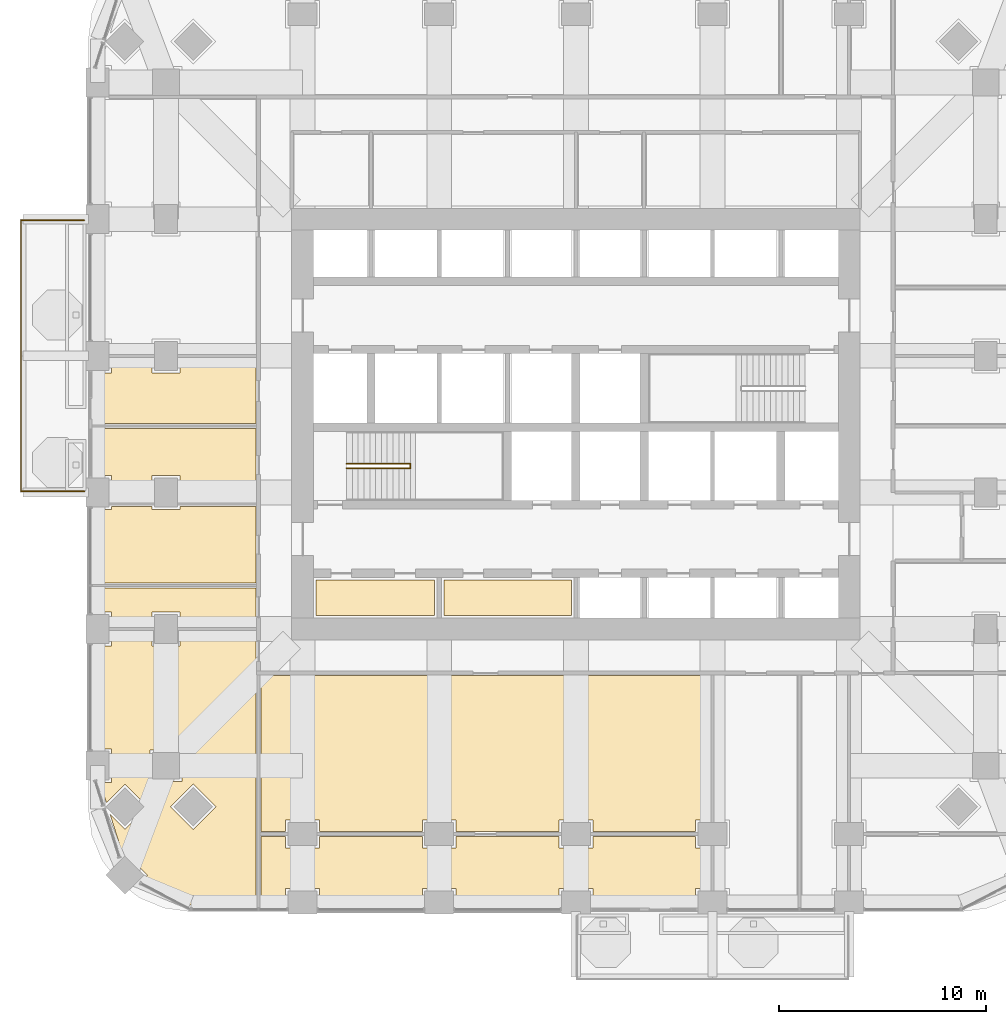
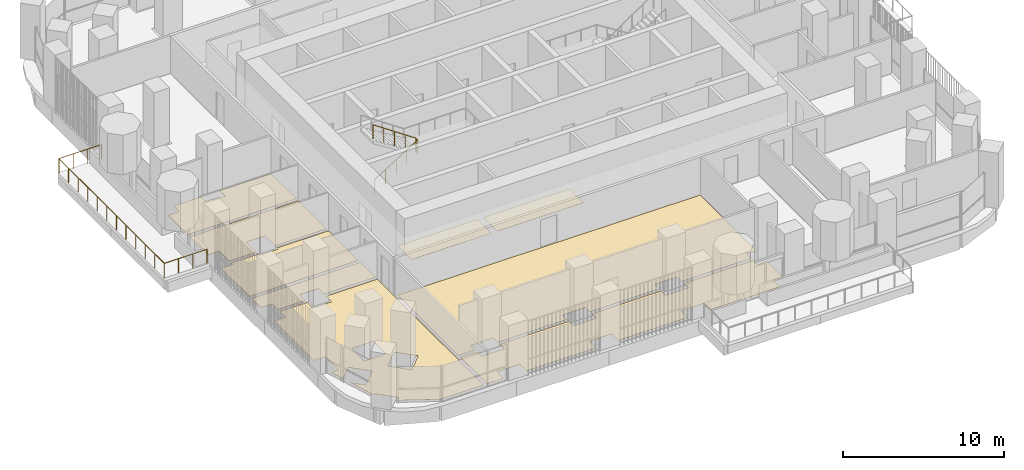
# One storey, part 18 of 22: 9 coverings, 2 railings.
"""IFC4 building model written with IfcOpenShell, lengths in metres."""

from ifc_helpers import new_model, si_unit, direction, frame, origin, place, context, subcontext, project, spatial, polyline, outline, extrude, material, layer, layer_set, type_object, element, save


model = new_model("IFC4")

# Units and contexts
model_context = context("Model", 3, precision=1e-05, world=origin(), true_north=direction((0.0, 1.0)))
body_context = subcontext(model_context, "Body", "Model", "MODEL_VIEW")
ifc_project = project(units=[si_unit("LENGTHUNIT", "METRE"), si_unit("AREAUNIT", "SQUARE_METRE"), si_unit("VOLUMEUNIT", "CUBIC_METRE"), si_unit("PLANEANGLEUNIT", "RADIAN"), si_unit("MASSUNIT", "GRAM", prefix="KILO")], contexts=[model_context])

# Site, building, storey
site_placement = place(None, origin())
site = spatial("IfcSite", under=ifc_project, at=site_placement, CompositionType="ELEMENT")
building_placement = place(site_placement, origin())
building = spatial("IfcBuilding", under=site, at=building_placement, Name="Cobogo Forest Laboratory Tower", CompositionType="ELEMENT")
storey_placement = place(building_placement, frame((0.0, 0.0, 120.0)))
storey = spatial("IfcBuildingStorey", under=building, at=storey_placement, Name="L27", CompositionType="ELEMENT", Elevation=120.0)

# Railing
ifc_material_1 = material(Name="Laminated glass balustrade", Category="glass")
railing_type_1 = type_object("IfcRailingType", Name="BG1 glass balustrade 1100", PredefinedType="GUARDRAIL", material=ifc_material_1)
railing_1_placement = place(storey_placement, frame((2.64990234375, 19.85009765625, 0.0)))
element("IfcRailing", 1, at=railing_1_placement, inside=storey, type_object=railing_type_1, Name="Balcony balustrade BAL-W1 L27", PredefinedType="GUARDRAIL", context=body_context, shape_type="SweptSolid", body=[
    extrude(outline(polyline([(0.022216796875, 0.00927734375), (0.00927734375, 0.022216796875), (-0.00927734375, 0.022216796875), (-0.022216796875, 0.00927734375), (-0.022216796875, -0.00927734375), (-0.00927734375, -0.022216796875), (0.00927734375, -0.022216796875), (0.022216796875, -0.00927734375), (0.022216796875, 0.00927734375)])), frame((0.0, 0.0, 1.077880859375), z_axis=(-1.0, 0.0, 0.0), x_axis=(0.0, -1.0, 0.0)), (0.0, 0.0, 1.0), 3.0498046875),
    extrude(outline(polyline([(0.022216796875, 0.00927734375), (0.00927734375, 0.022216796875), (-0.00927734375, 0.022216796875), (-0.022216796875, 0.00927734375), (-0.022216796875, -0.00927734375), (-0.00927734375, -0.022216796875), (0.00927734375, -0.022216796875), (0.022216796875, -0.00927734375), (0.022216796875, 0.00927734375)])), frame((-3.0498046875, 0.0, 1.077880859375), z_axis=(0.0, 1.0, 0.0), x_axis=(-1.0, 0.0, 0.0)), (0.0, 0.0, 1.0), 13.099853515625),
    extrude(outline(polyline([(0.022216796875, 0.00927734375), (0.00927734375, 0.022216796875), (-0.00927734375, 0.022216796875), (-0.022216796875, 0.00927734375), (-0.022216796875, -0.00927734375), (-0.00927734375, -0.022216796875), (0.00927734375, -0.022216796875), (0.022216796875, -0.00927734375), (0.022216796875, 0.00927734375)])), frame((-3.0498046875, 13.099853515625, 1.077880859375), z_axis=(1.0, 0.0, 0.0), x_axis=(0.0, 1.0, 0.0)), (0.0, 0.0, 1.0), 3.0498046875),
    extrude(outline(polyline([(0.019287109375, 0.008056640625), (0.008056640625, 0.019287109375), (-0.008056640625, 0.019287109375), (-0.019287109375, 0.008056640625), (-0.019287109375, -0.008056640625), (-0.008056640625, -0.019287109375), (0.008056640625, -0.019287109375), (0.019287109375, -0.008056640625), (0.019287109375, 0.008056640625)])), origin(), (0.0, 0.0, 1.0), 1.077880859375),
    extrude(outline(polyline([(0.019287109375, 0.008056640625), (0.008056640625, 0.019287109375), (-0.008056640625, 0.019287109375), (-0.019287109375, 0.008056640625), (-0.019287109375, -0.008056640625), (-0.008056640625, -0.019287109375), (0.008056640625, -0.019287109375), (0.019287109375, -0.008056640625), (0.019287109375, 0.008056640625)])), frame((-1.0166015625, 0.0, 0.0)), (0.0, 0.0, 1.0), 1.077880859375),
    extrude(outline(polyline([(0.019287109375, 0.008056640625), (0.008056640625, 0.019287109375), (-0.008056640625, 0.019287109375), (-0.019287109375, 0.008056640625), (-0.019287109375, -0.008056640625), (-0.008056640625, -0.019287109375), (0.008056640625, -0.019287109375), (0.019287109375, -0.008056640625), (0.019287109375, 0.008056640625)])), frame((-2.033203125, 0.0, 0.0)), (0.0, 0.0, 1.0), 1.077880859375),
    extrude(outline(polyline([(0.019287109375, 0.008056640625), (0.008056640625, 0.019287109375), (-0.008056640625, 0.019287109375), (-0.019287109375, 0.008056640625), (-0.019287109375, -0.008056640625), (-0.008056640625, -0.019287109375), (0.008056640625, -0.019287109375), (0.019287109375, -0.008056640625), (0.019287109375, 0.008056640625)])), frame((-3.0498046875, 0.0, 0.0)), (0.0, 0.0, 1.0), 1.077880859375),
    extrude(outline(polyline([(0.019287109375, 0.008056640625), (0.008056640625, 0.019287109375), (-0.008056640625, 0.019287109375), (-0.019287109375, 0.008056640625), (-0.019287109375, -0.008056640625), (-0.008056640625, -0.019287109375), (0.008056640625, -0.019287109375), (0.019287109375, -0.008056640625), (0.019287109375, 0.008056640625)])), frame((-3.0498046875, 1.19091796875, 0.0)), (0.0, 0.0, 1.0), 1.077880859375),
    extrude(outline(polyline([(0.019287109375, 0.008056640625), (0.008056640625, 0.019287109375), (-0.008056640625, 0.019287109375), (-0.019287109375, 0.008056640625), (-0.019287109375, -0.008056640625), (-0.008056640625, -0.019287109375), (0.008056640625, -0.019287109375), (0.019287109375, -0.008056640625), (0.019287109375, 0.008056640625)])), frame((-3.0498046875, 2.3818359375, 0.0)), (0.0, 0.0, 1.0), 1.077880859375),
    extrude(outline(polyline([(0.019287109375, 0.008056640625), (0.008056640625, 0.019287109375), (-0.008056640625, 0.019287109375), (-0.019287109375, 0.008056640625), (-0.019287109375, -0.008056640625), (-0.008056640625, -0.019287109375), (0.008056640625, -0.019287109375), (0.019287109375, -0.008056640625), (0.019287109375, 0.008056640625)])), frame((-3.0498046875, 3.57275390625, 0.0)), (0.0, 0.0, 1.0), 1.077880859375),
    extrude(outline(polyline([(0.019287109375, 0.008056640625), (0.008056640625, 0.019287109375), (-0.008056640625, 0.019287109375), (-0.019287109375, 0.008056640625), (-0.019287109375, -0.008056640625), (-0.008056640625, -0.019287109375), (0.008056640625, -0.019287109375), (0.019287109375, -0.008056640625), (0.019287109375, 0.008056640625)])), frame((-3.0498046875, 4.763671875, 0.0)), (0.0, 0.0, 1.0), 1.077880859375),
    extrude(outline(polyline([(0.019287109375, 0.008056640625), (0.008056640625, 0.019287109375), (-0.008056640625, 0.019287109375), (-0.019287109375, 0.008056640625), (-0.019287109375, -0.008056640625), (-0.008056640625, -0.019287109375), (0.008056640625, -0.019287109375), (0.019287109375, -0.008056640625), (0.019287109375, 0.008056640625)])), frame((-3.0498046875, 5.95458984375, 0.0)), (0.0, 0.0, 1.0), 1.077880859375),
    extrude(outline(polyline([(0.019287109375, 0.008056640625), (0.008056640625, 0.019287109375), (-0.008056640625, 0.019287109375), (-0.019287109375, 0.008056640625), (-0.019287109375, -0.008056640625), (-0.008056640625, -0.019287109375), (0.008056640625, -0.019287109375), (0.019287109375, -0.008056640625), (0.019287109375, 0.008056640625)])), frame((-3.0498046875, 7.145263671875, 0.0)), (0.0, 0.0, 1.0), 1.077880859375),
    extrude(outline(polyline([(0.019287109375, 0.008056640625), (0.008056640625, 0.019287109375), (-0.008056640625, 0.019287109375), (-0.019287109375, 0.008056640625), (-0.019287109375, -0.008056640625), (-0.008056640625, -0.019287109375), (0.008056640625, -0.019287109375), (0.019287109375, -0.008056640625), (0.019287109375, 0.008056640625)])), frame((-3.0498046875, 8.336181640625, 0.0)), (0.0, 0.0, 1.0), 1.077880859375),
    extrude(outline(polyline([(0.019287109375, 0.008056640625), (0.008056640625, 0.019287109375), (-0.008056640625, 0.019287109375), (-0.019287109375, 0.008056640625), (-0.019287109375, -0.008056640625), (-0.008056640625, -0.019287109375), (0.008056640625, -0.019287109375), (0.019287109375, -0.008056640625), (0.019287109375, 0.008056640625)])), frame((-3.0498046875, 9.527099609375, 0.0)), (0.0, 0.0, 1.0), 1.077880859375),
    extrude(outline(polyline([(0.019287109375, 0.008056640625), (0.008056640625, 0.019287109375), (-0.008056640625, 0.019287109375), (-0.019287109375, 0.008056640625), (-0.019287109375, -0.008056640625), (-0.008056640625, -0.019287109375), (0.008056640625, -0.019287109375), (0.019287109375, -0.008056640625), (0.019287109375, 0.008056640625)])), frame((-3.0498046875, 10.718017578125, 0.0)), (0.0, 0.0, 1.0), 1.077880859375),
    extrude(outline(polyline([(0.019287109375, 0.008056640625), (0.008056640625, 0.019287109375), (-0.008056640625, 0.019287109375), (-0.019287109375, 0.008056640625), (-0.019287109375, -0.008056640625), (-0.008056640625, -0.019287109375), (0.008056640625, -0.019287109375), (0.019287109375, -0.008056640625), (0.019287109375, 0.008056640625)])), frame((-3.0498046875, 11.908935546875, 0.0)), (0.0, 0.0, 1.0), 1.077880859375),
    extrude(outline(polyline([(0.019287109375, 0.008056640625), (0.008056640625, 0.019287109375), (-0.008056640625, 0.019287109375), (-0.019287109375, 0.008056640625), (-0.019287109375, -0.008056640625), (-0.008056640625, -0.019287109375), (0.008056640625, -0.019287109375), (0.019287109375, -0.008056640625), (0.019287109375, 0.008056640625)])), frame((-3.0498046875, 13.099853515625, 0.0)), (0.0, 0.0, 1.0), 1.077880859375),
    extrude(outline(polyline([(0.019287109375, 0.008056640625), (0.008056640625, 0.019287109375), (-0.008056640625, 0.019287109375), (-0.019287109375, 0.008056640625), (-0.019287109375, -0.008056640625), (-0.008056640625, -0.019287109375), (0.008056640625, -0.019287109375), (0.019287109375, -0.008056640625), (0.019287109375, 0.008056640625)])), frame((-2.033203125, 13.099853515625, 0.0)), (0.0, 0.0, 1.0), 1.077880859375),
    extrude(outline(polyline([(0.019287109375, 0.008056640625), (0.008056640625, 0.019287109375), (-0.008056640625, 0.019287109375), (-0.019287109375, 0.008056640625), (-0.019287109375, -0.008056640625), (-0.008056640625, -0.019287109375), (0.008056640625, -0.019287109375), (0.019287109375, -0.008056640625), (0.019287109375, 0.008056640625)])), frame((-1.0166015625, 13.099853515625, 0.0)), (0.0, 0.0, 1.0), 1.077880859375),
    extrude(outline(polyline([(0.019287109375, 0.008056640625), (0.008056640625, 0.019287109375), (-0.008056640625, 0.019287109375), (-0.019287109375, 0.008056640625), (-0.019287109375, -0.008056640625), (-0.008056640625, -0.019287109375), (0.008056640625, -0.019287109375), (0.019287109375, -0.008056640625), (0.019287109375, 0.008056640625)])), frame((0.0, 13.099853515625, 0.0)), (0.0, 0.0, 1.0), 1.077880859375),
])

# Coverings
ifc_material_2 = material(Name="Carpet tile on raised access floor", Category="flooring")
ifc_layer_1 = layer(ifc_material_2, 0.008056640625)
ifc_layer_set_1 = layer_set([ifc_layer_1], Name="CT1 carpet tile floor 8")
covering_type_1 = type_object("IfcCoveringType", Name="CT1 carpet tile floor 8", PredefinedType="FLOORING", material=ifc_layer_set_1)
covering_1_placement = place(storey_placement, origin())
element("IfcCovering", 2, at=covering_1_placement, inside=storey, type_object=covering_type_1, Name="Carpet floor L27-06", PredefinedType="FLOORING", context=body_context, shape_type="SweptSolid", body=[
    extrude(outline(polyline([(12.3798828125, 3.179931640625), (12.3798828125, 2.6298828125), (14.02001953125, 2.6298828125), (14.02001953125, 3.179931640625), (18.97998046875, 3.179931640625), (18.97998046875, 2.6298828125), (20.6201171875, 2.6298828125), (20.6201171875, 3.179931640625), (25.580078125, 3.179931640625), (25.580078125, 2.6298828125), (27.219970703125, 2.6298828125), (27.219970703125, 3.179931640625), (32.179931640625, 3.179931640625), (32.179931640625, 2.6298828125), (32.8798828125, 2.6298828125), (32.8798828125, 0.669921875), (32.179931640625, 0.669921875), (32.179931640625, -0.14990234375), (27.219970703125, -0.14990234375), (27.219970703125, 0.669921875), (25.580078125, 0.669921875), (25.580078125, -0.14990234375), (20.6201171875, -0.14990234375), (20.6201171875, 0.669921875), (18.97998046875, 0.669921875), (18.97998046875, -0.14990234375), (14.02001953125, -0.14990234375), (14.02001953125, 0.669921875), (12.3798828125, 0.669921875), (12.3798828125, -0.14990234375), (11.195068359375, -0.14990234375), (11.195068359375, 3.179931640625), (12.3798828125, 3.179931640625)])), origin(), (0.0, 0.0, 1.0), 0.008056640625),
])
covering_2_placement = place(storey_placement, origin())
element("IfcCovering", 3, at=covering_2_placement, inside=storey, type_object=covering_type_1, Name="Carpet floor L27-20", PredefinedType="FLOORING", context=body_context, shape_type="SweptSolid", body=[
    extrude(outline(polyline([(3.904052734375, 4.2431640625), (4.617919921875, 3.529052734375), (5.70703125, 4.617919921875), (4.617919921875, 5.70703125), (3.72412109375, 4.81298828125), (3.418701171875, 5.780029296875), (3.969970703125, 5.780029296875), (3.969970703125, 7.419921875), (3.14990234375, 7.419921875), (3.14990234375, 12.3798828125), (3.969970703125, 12.3798828125), (3.969970703125, 13.080078125), (5.929931640625, 13.080078125), (5.929931640625, 12.3798828125), (7.27001953125, 12.3798828125), (7.27001953125, 13.080078125), (10.955078125, 13.080078125), (10.955078125, -0.14990234375), (7.84912109375, -0.14990234375), (5.480712890625, 1.091552734375), (5.70703125, 1.318115234375), (4.617919921875, 2.406982421875), (4.51611328125, 2.304931640625), (3.904052734375, 4.2431640625)]), holes=[polyline([(6.8291015625, 4.617919921875), (7.91796875, 3.529052734375), (9.007080078125, 4.617919921875), (7.91796875, 5.70703125), (6.8291015625, 4.617919921875)]), polyline([(5.830078125, 7.3701171875), (5.830078125, 5.830078125), (7.3701171875, 5.830078125), (7.3701171875, 7.3701171875), (5.830078125, 7.3701171875)])]), origin(), (0.0, 0.0, 1.0), 0.008056640625),
])
covering_3_placement = place(storey_placement, origin())
element("IfcCovering", 4, at=covering_3_placement, inside=storey, type_object=covering_type_1, Name="Carpet floor L27-33", PredefinedType="FLOORING", context=body_context, shape_type="SweptSolid", body=[
    extrude(outline(polyline([(19.580078125, 13.844970703125), (13.844970703125, 13.844970703125), (13.844970703125, 15.580078125), (19.580078125, 15.580078125), (19.580078125, 13.844970703125)])), origin(), (0.0, 0.0, 1.0), 0.008056640625),
])

# Railing
ifc_material_3 = material(Name="Steel balustrade", Category="steel")
railing_type_2 = type_object("IfcRailingType", Name="GR stair guard 1100", PredefinedType="GUARDRAIL", material=ifc_material_3)
railing_2_placement = place(storey_placement, frame((15.324951171875, 20.969970703125, 0.175048828125)))
element("IfcRailing", 5, at=railing_2_placement, inside=storey, type_object=railing_type_2, Name="Stair guard ST1 L27", PredefinedType="GUARDRAIL", context=body_context, shape_type="SweptSolid", body=[
    extrude(outline(polyline([(0.022216796875, 0.00927734375), (0.00927734375, 0.022216796875), (-0.00927734375, 0.022216796875), (-0.022216796875, 0.00927734375), (-0.022216796875, -0.00927734375), (-0.00927734375, -0.022216796875), (0.00927734375, -0.022216796875), (0.022216796875, -0.00927734375), (0.022216796875, 0.00927734375)])), frame((0.0, 0.0, 1.077880859375), z_axis=(0.847998304005, 0.0, 0.529998940003), x_axis=(0.0, 1.0, 0.0)), (0.0, 0.0, 1.0), 3.632080078125),
    extrude(outline(polyline([(0.022216796875, 0.00927734375), (0.00927734375, 0.022216796875), (-0.00927734375, 0.022216796875), (-0.022216796875, 0.00927734375), (-0.022216796875, -0.00927734375), (-0.00927734375, -0.022216796875), (0.00927734375, -0.022216796875), (0.022216796875, -0.00927734375), (0.022216796875, 0.00927734375)])), frame((3.080078125, 0.0, 3.0029296875), z_axis=(0.0, 1.0, 0.0), x_axis=(-1.0, 0.0, 0.0)), (0.0, 0.0, 1.0), 0.2099609375),
    extrude(outline(polyline([(0.022216796875, 0.00927734375), (0.00927734375, 0.022216796875), (-0.00927734375, 0.022216796875), (-0.022216796875, 0.00927734375), (-0.022216796875, -0.00927734375), (-0.00927734375, -0.022216796875), (0.00927734375, -0.022216796875), (0.022216796875, -0.00927734375), (0.022216796875, 0.00927734375)])), frame((3.080078125, 0.2099609375, 3.0029296875), z_axis=(-0.826252282691, 0.0, 0.563300244406), x_axis=(0.0, -1.0, 0.0)), (0.0, 0.0, 1.0), 3.727783203125),
    extrude(outline(polyline([(0.019287109375, 0.008056640625), (0.008056640625, 0.019287109375), (-0.008056640625, 0.019287109375), (-0.019287109375, 0.008056640625), (-0.019287109375, -0.008056640625), (-0.008056640625, -0.019287109375), (0.008056640625, -0.019287109375), (0.019287109375, -0.008056640625), (0.019287109375, 0.008056640625)])), origin(), (0.0, 0.0, 1.0), 1.077880859375),
    extrude(outline(polyline([(0.019287109375, 0.008056640625), (0.008056640625, 0.019287109375), (-0.008056640625, 0.019287109375), (-0.019287109375, 0.008056640625), (-0.019287109375, -0.008056640625), (-0.008056640625, -0.019287109375), (0.008056640625, -0.019287109375), (0.019287109375, -0.008056640625), (0.019287109375, 0.008056640625)])), frame((0.77001953125, 0.0, 0.481201171875)), (0.0, 0.0, 1.0), 1.077880859375),
    extrude(outline(polyline([(0.019287109375, 0.008056640625), (0.008056640625, 0.019287109375), (-0.008056640625, 0.019287109375), (-0.019287109375, 0.008056640625), (-0.019287109375, -0.008056640625), (-0.008056640625, -0.019287109375), (0.008056640625, -0.019287109375), (0.019287109375, -0.008056640625), (0.019287109375, 0.008056640625)])), frame((1.5400390625, 0.0, 0.96240234375)), (0.0, 0.0, 1.0), 1.077880859375),
    extrude(outline(polyline([(0.019287109375, 0.008056640625), (0.008056640625, 0.019287109375), (-0.008056640625, 0.019287109375), (-0.019287109375, 0.008056640625), (-0.019287109375, -0.008056640625), (-0.008056640625, -0.019287109375), (0.008056640625, -0.019287109375), (0.019287109375, -0.008056640625), (0.019287109375, 0.008056640625)])), frame((2.31005859375, 0.0, 1.44384765625)), (0.0, 0.0, 1.0), 1.077880859375),
    extrude(outline(polyline([(0.019287109375, 0.008056640625), (0.008056640625, 0.019287109375), (-0.008056640625, 0.019287109375), (-0.019287109375, 0.008056640625), (-0.019287109375, -0.008056640625), (-0.008056640625, -0.019287109375), (0.008056640625, -0.019287109375), (0.019287109375, -0.008056640625), (0.019287109375, 0.008056640625)])), frame((3.080078125, 0.0, 1.925048828125)), (0.0, 0.0, 1.0), 1.077880859375),
    extrude(outline(polyline([(0.019287109375, 0.008056640625), (0.008056640625, 0.019287109375), (-0.008056640625, 0.019287109375), (-0.019287109375, 0.008056640625), (-0.019287109375, -0.008056640625), (-0.008056640625, -0.019287109375), (0.008056640625, -0.019287109375), (0.019287109375, -0.008056640625), (0.019287109375, 0.008056640625)])), frame((3.080078125, 0.2099609375, 1.925048828125)), (0.0, 0.0, 1.0), 1.077880859375),
    extrude(outline(polyline([(0.019287109375, 0.008056640625), (0.008056640625, 0.019287109375), (-0.008056640625, 0.019287109375), (-0.019287109375, 0.008056640625), (-0.019287109375, -0.008056640625), (-0.008056640625, -0.019287109375), (0.008056640625, -0.019287109375), (0.019287109375, -0.008056640625), (0.019287109375, 0.008056640625)])), frame((2.31005859375, 0.2099609375, 2.449951171875)), (0.0, 0.0, 1.0), 1.077880859375),
    extrude(outline(polyline([(0.019287109375, 0.008056640625), (0.008056640625, 0.019287109375), (-0.008056640625, 0.019287109375), (-0.019287109375, 0.008056640625), (-0.019287109375, -0.008056640625), (-0.008056640625, -0.019287109375), (0.008056640625, -0.019287109375), (0.019287109375, -0.008056640625), (0.019287109375, 0.008056640625)])), frame((1.5400390625, 0.2099609375, 2.97509765625)), (0.0, 0.0, 1.0), 1.077880859375),
    extrude(outline(polyline([(0.019287109375, 0.008056640625), (0.008056640625, 0.019287109375), (-0.008056640625, 0.019287109375), (-0.019287109375, 0.008056640625), (-0.019287109375, -0.008056640625), (-0.008056640625, -0.019287109375), (0.008056640625, -0.019287109375), (0.019287109375, -0.008056640625), (0.019287109375, 0.008056640625)])), frame((0.77001953125, 0.2099609375, 3.5)), (0.0, 0.0, 1.0), 1.077880859375),
    extrude(outline(polyline([(0.019287109375, 0.008056640625), (0.008056640625, 0.019287109375), (-0.008056640625, 0.019287109375), (-0.019287109375, 0.008056640625), (-0.019287109375, -0.008056640625), (-0.008056640625, -0.019287109375), (0.008056640625, -0.019287109375), (0.019287109375, -0.008056640625), (0.019287109375, 0.008056640625)])), frame((0.0, 0.2099609375, 4.02490234375)), (0.0, 0.0, 1.0), 1.077880859375),
])

# Coverings
ifc_material_4 = material(Name="Epoxy resin flooring", Category="flooring")
ifc_layer_2 = layer(ifc_material_4, 0.00390625)
ifc_layer_set_2 = layer_set([ifc_layer_2], Name="LF1 epoxy laboratory floor 4")
covering_type_2 = type_object("IfcCoveringType", Name="LF1 epoxy laboratory floor 4", PredefinedType="FLOORING", material=ifc_layer_set_2)
covering_4_placement = place(storey_placement, origin())
element("IfcCovering", 6, at=covering_4_placement, inside=storey, type_object=covering_type_2, Name="Epoxy laboratory floor L27-05", PredefinedType="FLOORING", context=body_context, shape_type="SweptSolid", body=[
    extrude(outline(polyline([(11.195068359375, 10.955078125), (32.8798828125, 10.955078125), (32.8798828125, 3.969970703125), (32.179931640625, 3.969970703125), (32.179931640625, 3.419921875), (27.219970703125, 3.419921875), (27.219970703125, 3.969970703125), (25.580078125, 3.969970703125), (25.580078125, 3.419921875), (20.6201171875, 3.419921875), (20.6201171875, 3.969970703125), (18.97998046875, 3.969970703125), (18.97998046875, 3.419921875), (14.02001953125, 3.419921875), (14.02001953125, 3.969970703125), (12.3798828125, 3.969970703125), (12.3798828125, 3.419921875), (11.195068359375, 3.419921875), (11.195068359375, 10.955078125)])), origin(), (0.0, 0.0, 1.0), 0.00390625),
])
ifc_material_5 = material(Name="Ceramic floor tile", Category="flooring")
ifc_layer_3 = layer(ifc_material_5, 0.010009765625)
ifc_layer_set_3 = layer_set([ifc_layer_3], Name="TF1 ceramic tile floor 10")
covering_type_3 = type_object("IfcCoveringType", Name="TF1 ceramic tile floor 10", PredefinedType="FLOORING", material=ifc_layer_set_3)
covering_5_placement = place(storey_placement, origin())
element("IfcCovering", 7, at=covering_5_placement, inside=storey, type_object=covering_type_3, Name="Tile floor L27-21", PredefinedType="FLOORING", context=body_context, shape_type="SweptSolid", body=[
    extrude(outline(polyline([(10.955078125, 13.320068359375), (7.27001953125, 13.320068359375), (7.27001953125, 14.02001953125), (5.929931640625, 14.02001953125), (5.929931640625, 13.320068359375), (3.969970703125, 13.320068359375), (3.969970703125, 14.02001953125), (3.14990234375, 14.02001953125), (3.14990234375, 15.179931640625), (10.955078125, 15.179931640625), (10.955078125, 13.320068359375)])), origin(), (0.0, 0.0, 1.0), 0.010009765625),
])
covering_6_placement = place(storey_placement, origin())
element("IfcCovering", 8, at=covering_6_placement, inside=storey, type_object=covering_type_3, Name="Tile floor L27-22", PredefinedType="FLOORING", context=body_context, shape_type="SweptSolid", body=[
    extrude(outline(polyline([(10.955078125, 15.419921875), (3.14990234375, 15.419921875), (3.14990234375, 18.97998046875), (3.969970703125, 18.97998046875), (3.969970703125, 19.1298828125), (5.929931640625, 19.1298828125), (5.929931640625, 18.97998046875), (7.27001953125, 18.97998046875), (7.27001953125, 19.1298828125), (10.955078125, 19.1298828125), (10.955078125, 15.419921875)])), origin(), (0.0, 0.0, 1.0), 0.010009765625),
])
covering_7_placement = place(storey_placement, origin())
element("IfcCovering", 9, at=covering_7_placement, inside=storey, type_object=covering_type_3, Name="Tile floor L27-23", PredefinedType="FLOORING", context=body_context, shape_type="SweptSolid", body=[
    extrude(outline(polyline([(10.955078125, 19.3701171875), (7.27001953125, 19.3701171875), (7.27001953125, 20.6201171875), (5.929931640625, 20.6201171875), (5.929931640625, 19.3701171875), (3.969970703125, 19.3701171875), (3.969970703125, 20.6201171875), (3.14990234375, 20.6201171875), (3.14990234375, 22.8798828125), (10.955078125, 22.8798828125), (10.955078125, 19.3701171875)])), origin(), (0.0, 0.0, 1.0), 0.010009765625),
])
covering_8_placement = place(storey_placement, origin())
element("IfcCovering", 10, at=covering_8_placement, inside=storey, type_object=covering_type_3, Name="Tile floor L27-24", PredefinedType="FLOORING", context=body_context, shape_type="SweptSolid", body=[
    extrude(outline(polyline([(10.955078125, 23.1201171875), (3.14990234375, 23.1201171875), (3.14990234375, 25.580078125), (3.969970703125, 25.580078125), (3.969970703125, 26.280029296875), (5.929931640625, 26.280029296875), (5.929931640625, 25.580078125), (7.27001953125, 25.580078125), (7.27001953125, 26.280029296875), (10.955078125, 26.280029296875), (10.955078125, 23.1201171875)])), origin(), (0.0, 0.0, 1.0), 0.010009765625),
])
covering_9_placement = place(storey_placement, origin())
element("IfcCovering", 11, at=covering_9_placement, inside=storey, type_object=covering_type_3, Name="Tile floor L27-34", PredefinedType="FLOORING", context=body_context, shape_type="SweptSolid", body=[
    extrude(outline(polyline([(26.179931640625, 13.844970703125), (20.02001953125, 13.844970703125), (20.02001953125, 15.580078125), (26.179931640625, 15.580078125), (26.179931640625, 13.844970703125)])), origin(), (0.0, 0.0, 1.0), 0.010009765625),
])

save(model, "model.ifc")
